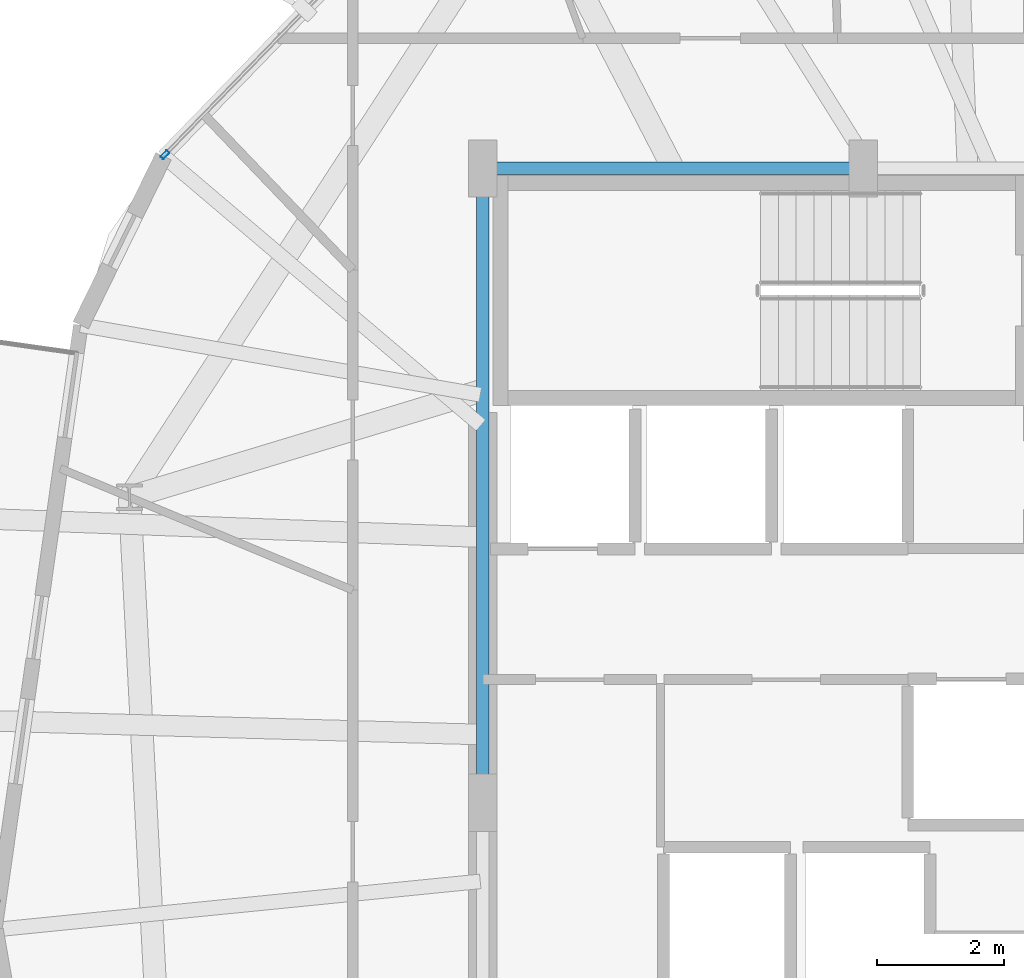
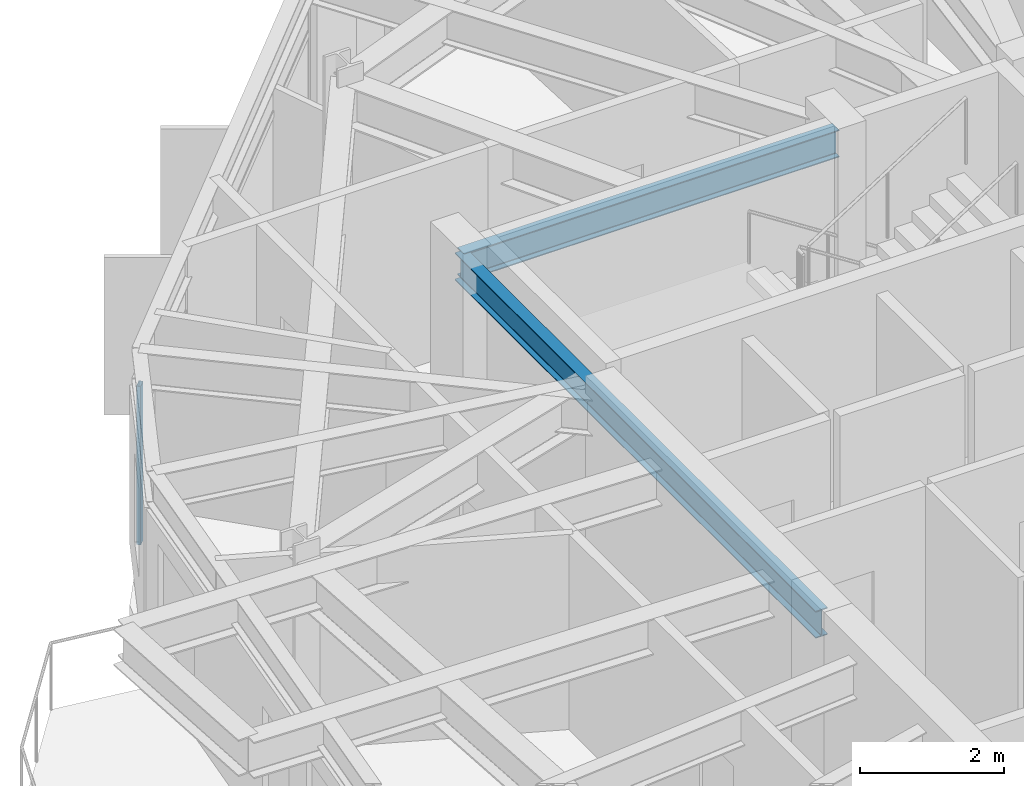
# One storey, part 9 of 28: 2 beams, 1 member, 1 element without a shape of its own.
"""IFC4 building model written with IfcOpenShell, lengths in metres."""

import ifcopenshell
import ifcopenshell.guid

model = None  # the IFC model being written
_history = None  # IfcOwnerHistory: only IFC2X3 demands one
_inside = {}  # id of a spatial element -> (the spatial element, [elements in it])
_under = {}  # id of a project, library or spatial element -> (it, [spatial elements below it])
_declared = {}  # id of a project -> (the project, [libraries it declares])
_typed = {}  # id of a type object -> (the type object, [elements of that type])
_made_of = {}  # id of a material, layer set ... -> (it, [elements and type objects made of it])


def new_model(schema):
    """Start an empty IFC model of exactly this schema.

    Asked for "IFC4X3", IfcOpenShell would pick the latest addendum, in which some entities
    have other attributes; the version numbers below select the first issue.
    IFC2X3 requires an IfcOwnerHistory on every rooted entity: one is made here for all.
    """
    global model, _history
    if schema == "IFC4X3":
        model = ifcopenshell.file(schema_version=(4, 3, 0, 0))
    else:
        model = ifcopenshell.file(schema=schema)
    _inside.clear()
    _under.clear()
    _declared.clear()
    _typed.clear()
    _made_of.clear()
    _history = None
    if model.schema == "IFC2X3":
        org = make("IfcOrganization", Name="unknown")
        user = make(
            "IfcPersonAndOrganization",
            ThePerson=make("IfcPerson", FamilyName="unknown"),
            TheOrganization=org,
        )
        app = make(
            "IfcApplication",
            ApplicationDeveloper=org,
            Version="unknown",
            ApplicationFullName="unknown",
            ApplicationIdentifier="unknown",
        )
        _history = make(
            "IfcOwnerHistory",
            OwningUser=user,
            OwningApplication=app,
            ChangeAction="ADDED",
            CreationDate=0,
        )
    return model


def make(cls, **values):
    """One entity of the class cls with the attributes given. An attribute that is None is left unset."""
    return model.create_entity(
        cls, **{name: value for name, value in values.items() if value is not None}
    )


def rooted(cls, **values):
    """An entity with a GlobalId (a new one), such as an element, a storey or a relation."""
    return make(cls, GlobalId=ifcopenshell.guid.new(), OwnerHistory=_history, **values)


def si_unit(unit_type, name, prefix=None):
    """IfcSIUnit, for example si_unit("LENGTHUNIT", "METRE", prefix="MILLI")."""
    return make("IfcSIUnit", UnitType=unit_type, Prefix=prefix, Name=name)


def assignment(units):
    """IfcUnitAssignment: the units of a project."""
    return None if units is None else make("IfcUnitAssignment", Units=units)


def point(xyz):
    """IfcCartesianPoint."""
    return None if xyz is None else make("IfcCartesianPoint", Coordinates=xyz)


def direction(xyz):
    """IfcDirection."""
    return None if xyz is None else make("IfcDirection", DirectionRatios=xyz)


def frame(location, z_axis=None, x_axis=None):
    """IfcAxis2Placement3D, a coordinate frame: its origin and axes. An axis left out is left unset."""
    return make(
        "IfcAxis2Placement3D",
        Location=point(location),
        Axis=direction(z_axis),
        RefDirection=direction(x_axis),
    )


def frame_2d(location, x_axis=None):
    """IfcAxis2Placement2D, a coordinate frame in the plane: its origin and x axis."""
    return make(
        "IfcAxis2Placement2D", Location=point(location), RefDirection=direction(x_axis)
    )


def origin():
    """The frame at (0, 0, 0) with its axes left unset."""
    return frame((0.0, 0.0, 0.0))


def origin_2d():
    """The frame at (0, 0) in the plane with its x axis left unset."""
    return frame_2d((0.0, 0.0))


def place(relative_to, where):
    """IfcLocalPlacement: puts the frame where relative to a parent placement (None: the world)."""
    return make(
        "IfcLocalPlacement", PlacementRelTo=relative_to, RelativePlacement=where
    )


def context(
    kind, dimensions, precision=None, world=None, true_north=None, identifier=None
):
    """IfcGeometricRepresentationContext, for example the 3D "Model" context."""
    return make(
        "IfcGeometricRepresentationContext",
        ContextIdentifier=identifier,
        ContextType=kind,
        CoordinateSpaceDimension=dimensions,
        Precision=precision,
        WorldCoordinateSystem=world,
        TrueNorth=true_north,
    )


def subcontext(parent, identifier, kind, view, scale=None):
    """IfcGeometricRepresentationSubContext, for example "Body" below "Model"."""
    return make(
        "IfcGeometricRepresentationSubContext",
        ContextIdentifier=identifier,
        ContextType=kind,
        ParentContext=parent,
        TargetScale=scale,
        TargetView=view,
    )


def project(units=None, contexts=None):
    """IfcProject with its units and contexts."""
    return rooted(
        "IfcProject",
        Name="project",
        RepresentationContexts=contexts,
        UnitsInContext=assignment(units),
    )


def spatial(cls, under=None, at=None, **own):
    """A site, building, storey or space (cls), placed at a placement, below another one or the project."""
    s = rooted(cls, ObjectPlacement=at, **own)
    if under is not None:
        _under.setdefault(under.id(), (under, []))[1].append(s)
    return s


def profile(cls, at=None, kind="AREA", **sizes):
    """A parametric profile (cls). Its sizes go by their IFC names, for example OverallWidth=200.0."""
    return make(cls, ProfileType=kind, Position=at, **sizes)


def hollow_rectangle(**sizes):
    """IfcRectangleHollowProfileDef."""
    return profile("IfcRectangleHollowProfileDef", **sizes)


def i_section(**sizes):
    """IfcIShapeProfileDef."""
    return profile("IfcIShapeProfileDef", **sizes)


def extrude(swept, where, along, depth):
    """IfcExtrudedAreaSolid: the profile swept, set in the frame where, extruded along a direction by depth."""
    return make(
        "IfcExtrudedAreaSolid",
        SweptArea=swept,
        Position=where,
        ExtrudedDirection=direction(along),
        Depth=depth,
    )


def shape(context_of_items, identifier, shape_type, items):
    """IfcShapeRepresentation: the items that make up one representation, for example the "Body"."""
    return make(
        "IfcShapeRepresentation",
        ContextOfItems=context_of_items,
        RepresentationIdentifier=identifier,
        RepresentationType=shape_type,
        Items=items,
    )


def material(Name=None, Category=None):
    """IfcMaterial."""
    return make("IfcMaterial", Name=Name, Category=Category)


def layer(
    of_material, thickness, ventilated=None, Name=None, Category=None, Priority=None
):
    """IfcMaterialLayer: one layer of a wall or slab, of a material (None: an air gap)."""
    return make(
        "IfcMaterialLayer",
        Material=of_material,
        LayerThickness=thickness,
        IsVentilated=ventilated,
        Name=Name,
        Category=Category,
        Priority=Priority,
    )


def layer_set(layers, Name=None):
    """IfcMaterialLayerSet."""
    return make("IfcMaterialLayerSet", MaterialLayers=layers, LayerSetName=Name)


def material_profile(
    of_material, cross_section, Name=None, Category=None, Priority=None
):
    """IfcMaterialProfile: a cross section and its material."""
    return make(
        "IfcMaterialProfile",
        Name=Name,
        Material=of_material,
        Profile=cross_section,
        Priority=Priority,
        Category=Category,
    )


def profile_set(profiles, Name=None, composite=None):
    """IfcMaterialProfileSet."""
    return make(
        "IfcMaterialProfileSet",
        Name=Name,
        MaterialProfiles=profiles,
        CompositeProfile=composite,
    )


def made_of(thing, what):
    """Note that an element or type object is made of a material, layer set ...; save() writes the relation."""
    if what is not None:
        _made_of.setdefault(what.id(), (what, []))[1].append(thing)
    return thing


def type_object(cls, material=None, **own):
    """A type object (cls), such as IfcWallType, which elements share."""
    return made_of(rooted(cls, **own), material)


def element(
    cls,
    number,
    at=None,
    inside=None,
    cuts=None,
    type_object=None,
    material=None,
    context=None,
    identifier="Body",
    shape_type=None,
    held_by="IfcProductDefinitionShape",
    body=None,
    shapes=None,
    **own,
):
    """One element of the class cls, such as IfcWall. Its Tag is "e" and its number.

    at: its placement. inside: the storey or other place that contains it. cuts: it is an
    opening in that element (IfcRelVoidsElement). A single representation is given by context,
    identifier, shape_type and body (its items); several are given by shapes. held_by: the class
    of the entity that holds the representations. save() writes the other relations.
    """
    e = rooted(cls, Tag="e%d" % number, ObjectPlacement=at, **own)
    if body is not None:
        shapes = [shape(context, identifier, shape_type, body)]
    if shapes is not None:
        e.Representation = make(held_by, Representations=shapes)
    if inside is not None:
        _inside.setdefault(inside.id(), (inside, []))[1].append(e)
    if cuts is not None:
        rooted(
            "IfcRelVoidsElement", RelatingBuildingElement=cuts, RelatedOpeningElement=e
        )
    if type_object is not None:
        _typed.setdefault(type_object.id(), (type_object, []))[1].append(e)
    return made_of(e, material)


def aggregate(whole, parts):
    """IfcRelAggregates: a whole, such as a stair, and the parts it consists of."""
    return rooted("IfcRelAggregates", RelatingObject=whole, RelatedObjects=parts)


def save(model, path):
    """Write the relations noted so far, then the file.

    IfcRelAggregates (storeys below a building ...), IfcRelContainedInSpatialStructure (elements
    in a storey), IfcRelDefinesByType, IfcRelAssociatesMaterial and IfcRelDeclares: one each for
    every whole, place, type object, material and project.
    """
    for whole, parts in _under.values():
        aggregate(whole, parts)
    for where, things in _inside.values():
        rooted(
            "IfcRelContainedInSpatialStructure",
            RelatedElements=things,
            RelatingStructure=where,
        )
    for kind, things in _typed.values():
        rooted("IfcRelDefinesByType", RelatedObjects=things, RelatingType=kind)
    for what, things in _made_of.values():
        rooted("IfcRelAssociatesMaterial", RelatedObjects=things, RelatingMaterial=what)
    for by, libraries in _declared.values():
        rooted("IfcRelDeclares", RelatingContext=by, RelatedDefinitions=libraries)
    model.write(path)


model = new_model("IFC4")

# Units and contexts
model_context = context("Model", 3, precision=1e-05, world=origin(), true_north=direction((0.0, 1.0)))
body_context = subcontext(model_context, "Body", "Model", "MODEL_VIEW")
ifc_project = project(units=[si_unit("LENGTHUNIT", "METRE"), si_unit("AREAUNIT", "SQUARE_METRE"), si_unit("VOLUMEUNIT", "CUBIC_METRE"), si_unit("PLANEANGLEUNIT", "RADIAN"), si_unit("MASSUNIT", "GRAM", prefix="KILO")], contexts=[model_context])

# Site, building, storey
site_placement = place(None, origin())
site = spatial("IfcSite", under=ifc_project, at=site_placement, CompositionType="ELEMENT")
building_placement = place(site_placement, origin())
building = spatial("IfcBuilding", under=site, at=building_placement, Name="Soratama Intermodal Tower", CompositionType="ELEMENT")
storey_placement = place(building_placement, frame((0.0, 0.0, 201.39990234375)))
storey = spatial("IfcBuildingStorey", under=building, at=storey_placement, Name="L50", CompositionType="ELEMENT", Elevation=201.39990234375)

# Beams
ifc_material_1 = material(Name="Structural steel ASTM A992 Grade 50", Category="steel")
ifc_material_profile_1 = material_profile(ifc_material_1, i_section(OverallWidth=0.19091796875, OverallDepth=0.4599609375, WebThickness=0.010009765625, FlangeThickness=0.01611328125, FilletRadius=0.010986328125, at=origin_2d()), Name="W18X55")
ifc_profile_set_1 = profile_set([ifc_material_profile_1], Name="Structural steel ASTM A992 Grade 50")
beam_type = type_object("IfcBeamType", Name="BM-FLR-W18X55", PredefinedType="BEAM", material=ifc_profile_set_1)
beam_1_placement = place(storey_placement, frame((38.60009765625, 35.0, 3.070068359375), z_axis=(-1.0, 0.0, 0.0), x_axis=(0.0, -1.0, 0.0)))
element("IfcBeam", 1, at=beam_1_placement, inside=storey, type_object=beam_type, Name="BM-L50-CRING-07", PredefinedType="BEAM", context=body_context, shape_type="SweptSolid", body=[
    extrude(i_section(OverallWidth=0.19091796875, OverallDepth=0.4599609375, WebThickness=0.010009765625, FlangeThickness=0.01611328125, FilletRadius=0.010986328125, at=origin_2d()), origin(), (0.0, 0.0, 1.0), 6.0),
])
beam_2_placement = place(storey_placement, frame((32.60009765625, 35.0, 3.070068359375), z_axis=(0.0, -1.0, 0.0), x_axis=(1.0, 0.0, 0.0)))
element("IfcBeam", 2, at=beam_2_placement, inside=storey, type_object=beam_type, Name="BM-L50-CRING-08", PredefinedType="BEAM", context=body_context, shape_type="SweptSolid", body=[
    extrude(i_section(OverallWidth=0.19091796875, OverallDepth=0.4599609375, WebThickness=0.010009765625, FlangeThickness=0.01611328125, FilletRadius=0.010986328125, at=origin_2d()), origin(), (0.0, 0.0, 1.0), 10.0),
])

# Curtain wall, member
ifc_material_2 = material(Name="Double-glazed aluminium curtain wall", Category="aluminium")
ifc_layer = layer(ifc_material_2, 0.159912109375)
ifc_layer_set = layer_set([ifc_layer], Name="Double-glazed aluminium curtain wall")
curtain_wall_type = type_object("IfcCurtainWallType", Name="CW-SYS-5", PredefinedType="NOTDEFINED", material=ifc_layer_set)
curtain_wall_placement = place(storey_placement, origin())
curtain_wall = element("IfcCurtainWall", 3, at=curtain_wall_placement, inside=storey, type_object=curtain_wall_type, Name="L50 Faceted Curtain Wall F03", PredefinedType="NOTDEFINED")
ifc_material_3 = material(Name="Anodised aluminium AA 6063-T6", Category="aluminium")
ifc_material_profile_2 = material_profile(ifc_material_3, hollow_rectangle(XDim=0.06494140625, YDim=0.139892578125, WallThickness=0.0048828125, InnerFilletRadius=0.0048828125, OuterFilletRadius=0.010009765625, at=origin_2d()), Name="CWM140X65X5")
ifc_profile_set_2 = profile_set([ifc_material_profile_2], Name="Anodised aluminium AA 6063-T6")
member_type = type_object("IfcMemberType", Name="MT-CWM-5", PredefinedType="MULLION", material=ifc_profile_set_2)
member_placement = place(storey_placement, frame((27.589599609375, 35.212646484375, 0.0), z_axis=(0.0, 0.0, 1.0), x_axis=(0.718126949297, -0.695912124261, 0.0)))
member = element("IfcMember", 4, at=member_placement, type_object=member_type, Name="CW-5 mullion 3", PredefinedType="MULLION", context=body_context, shape_type="SweptSolid", body=[
    extrude(hollow_rectangle(XDim=0.06494140625, YDim=0.139892578125, WallThickness=0.0048828125, InnerFilletRadius=0.0048828125, OuterFilletRadius=0.010009765625, at=origin_2d()), origin(), (0.0, 0.0, 1.0), 2.67919921875),
])
aggregate(curtain_wall, [member])

save(model, "model.ifc")
